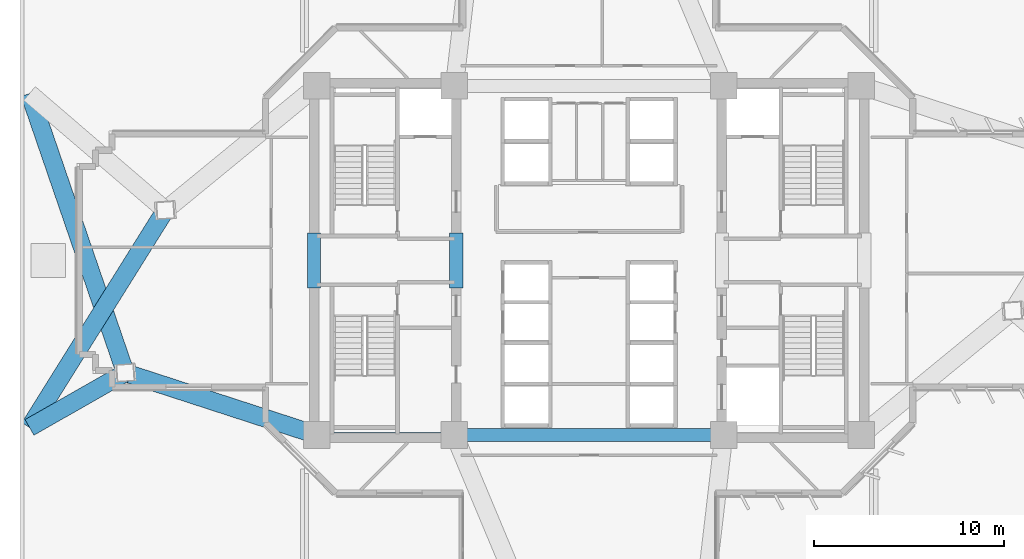
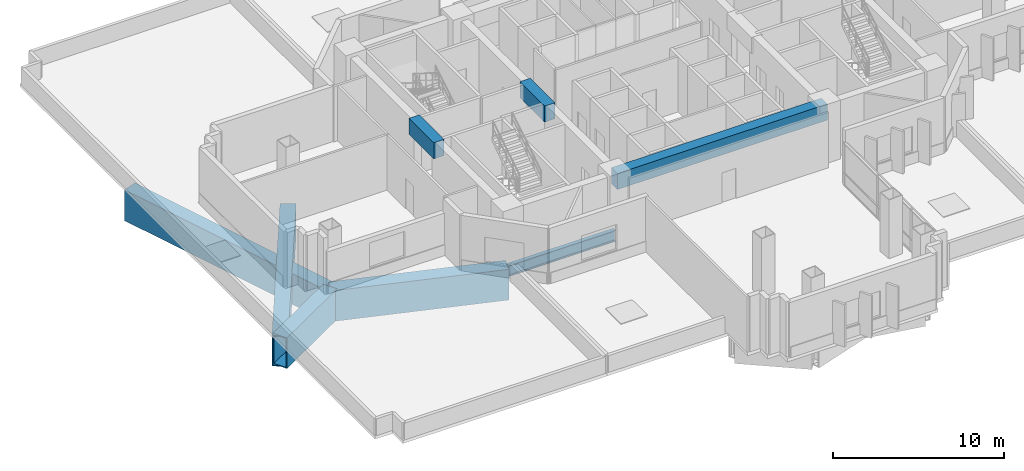
# One storey, part 3 of 15: 8 beams.
"""IFC4 building model written with IfcOpenShell, lengths in metres."""

from ifc_helpers import new_model, si_unit, direction, frame, origin, origin_2d, place, context, subcontext, project, spatial, rectangle, hollow_rectangle, i_section, extrude, source, transform, mapped, material, material_profile, profile_set, type_object, element, save


model = new_model("IFC4")

# Units and contexts
model_context = context("Model", 3, precision=1e-05, world=origin(), true_north=direction((0.0, 1.0)))
body_context = subcontext(model_context, "Body", "Model", "MODEL_VIEW")
ifc_project = project(units=[si_unit("LENGTHUNIT", "METRE"), si_unit("AREAUNIT", "SQUARE_METRE"), si_unit("VOLUMEUNIT", "CUBIC_METRE"), si_unit("PLANEANGLEUNIT", "RADIAN"), si_unit("MASSUNIT", "GRAM", prefix="KILO")], contexts=[model_context])

# Site, building, storey
site_placement = place(None, origin())
site = spatial("IfcSite", under=ifc_project, at=site_placement, CompositionType="ELEMENT")
building_placement = place(site_placement, origin())
building = spatial("IfcBuilding", under=site, at=building_placement, Name="Zahravan Cultural Tower", CompositionType="ELEMENT")
storey_placement = place(building_placement, frame((0.0, 0.0, 29.10009765625)))
storey = spatial("IfcBuildingStorey", under=building, at=storey_placement, Name="L05", CompositionType="ELEMENT", Elevation=29.10009765625)

# Beams
ifc_material_1 = material(Name="Concrete C50/60", Category="concrete")
ifc_material_profile_1 = material_profile(ifc_material_1, rectangle(XDim=0.699951171875, YDim=1.14990234375, at=origin_2d()), Name="RC700X1150")
ifc_profile_set_1 = profile_set([ifc_material_profile_1], Name="Concrete C50/60")
beam_type_1 = type_object("IfcBeamType", Name="BM-LN-RC700X1150", PredefinedType="LINTEL", material=ifc_profile_set_1)
shared_shape_1 = source(origin(), body_context, "Body", "SweptSolid", [
    extrude(rectangle(XDim=0.699951171875, YDim=1.14990234375, at=origin_2d()), origin(), (0.0, 0.0, 1.0), 14.2001953125),
])
beam_1_placement = place(storey_placement, frame((28.89990234375, 17.800048828125, 3.375), z_axis=(1.0, 0.0, 0.0), x_axis=(0.0, 1.0, 0.0)))
element("IfcBeam", 1, at=beam_1_placement, inside=storey, type_object=beam_type_1, Name="L05 Beam LN-L05-S", PredefinedType="LINTEL", context=body_context, shape_type="MappedRepresentation", body=[
    mapped(shared_shape_1, transform((0.0, 0.0, 0.0), x_axis=(1.0, 0.0, 0.0), y_axis=(0.0, 1.0, 0.0), z_axis=(0.0, 0.0, 1.0), scale=1.0)),
])
shared_shape_2 = source(origin(), body_context, "Body", "SweptSolid", [
    extrude(rectangle(XDim=0.699951171875, YDim=1.14990234375, at=origin_2d()), origin(), (0.0, 0.0, 1.0), 2.89990234375),
])
for number, where, z_axis, x_axis, name in (
    (2, (21.5, 25.550048828125, 3.375), (0.0, 1.0, 0.0), (-1.0, 0.0, 0.0), "L05 Beam LN-L05-PWW"),
    (3, (29.0, 25.550048828125, 3.375), (0.0, 1.0, 0.0), (-1.0, 0.0, 0.0), "L05 Beam LN-L05-PWE"),
):
    element("IfcBeam", number, at=place(storey_placement, frame(where, z_axis=z_axis, x_axis=x_axis)), inside=storey, type_object=beam_type_1, Name=name, PredefinedType="LINTEL", context=body_context, shape_type="MappedRepresentation", body=[
        mapped(shared_shape_2, transform((0.0, 0.0, 0.0), x_axis=(1.0, 0.0, 0.0), y_axis=(0.0, 1.0, 0.0), z_axis=(0.0, 0.0, 1.0), scale=1.0)),
    ])
ifc_material_2 = material(Name="Steel ASTM A992 Grade 50", Category="steel")
ifc_material_profile_2 = material_profile(ifc_material_2, i_section(OverallWidth=0.26611328125, OverallDepth=0.780029296875, WebThickness=0.0166015625, FlangeThickness=0.030029296875, FilletRadius=0.01904296875, at=origin_2d()), Name="W30X148")
ifc_profile_set_2 = profile_set([ifc_material_profile_2], Name="Steel ASTM A992 Grade 50")
beam_type_2 = type_object("IfcBeamType", Name="BM-G-W30X148", PredefinedType="BEAM", material=ifc_profile_set_2)
shared_shape_3 = source(origin(), body_context, "Body", "SweptSolid", [
    extrude(i_section(OverallWidth=0.26611328125, OverallDepth=0.780029296875, WebThickness=0.0166015625, FlangeThickness=0.030029296875, FilletRadius=0.01904296875, at=origin_2d()), origin(), (0.0, 0.0, 1.0), 7.25),
])
beam_2_placement = place(storey_placement, frame((21.64990234375, 17.800048828125, -0.64013671875), z_axis=(1.0, 0.0, 0.0), x_axis=(0.0, 1.0, 0.0)))
element("IfcBeam", 4, at=beam_2_placement, inside=storey, type_object=beam_type_2, Name="L05 Beam BG-L05-01", PredefinedType="BEAM", context=body_context, shape_type="MappedRepresentation", body=[
    mapped(shared_shape_3, transform((0.0, 0.0, 0.0), x_axis=(1.0, 0.0, 0.0), y_axis=(0.0, 1.0, 0.0), z_axis=(0.0, 0.0, 1.0), scale=1.0)),
])
ifc_material_3 = material(Name="Steel ASTM A572 Grade 50", Category="steel")
ifc_material_profile_3 = material_profile(ifc_material_3, hollow_rectangle(XDim=0.949951171875, YDim=2.199951171875, WallThickness=0.070068359375, at=origin_2d()), Name="BOX2200X950X70")
ifc_profile_set_3 = profile_set([ifc_material_profile_3], Name="Steel ASTM A572 Grade 50")
beam_type_3 = type_object("IfcBeamType", Name="BM-TR-BOX2200", PredefinedType="BEAM", material=ifc_profile_set_3)
shared_shape_4 = source(origin(), body_context, "Body", "SweptSolid", [
    extrude(hollow_rectangle(XDim=0.949951171875, YDim=2.199951171875, WallThickness=0.070068359375, at=origin_2d()), origin(), (0.0, 0.0, 1.0), 10.615966796875),
])
beam_3_placement = place(storey_placement, frame((21.64990234375, 17.800048828125, -1.35009765625), z_axis=(-0.951063640083, 0.30899506875, 0.0), x_axis=(-0.30899506875, -0.951063640083, 0.0)))
element("IfcBeam", 5, at=beam_3_placement, inside=storey, type_object=beam_type_3, Name="L05 Beam TB-L05-07", PredefinedType="BEAM", context=body_context, shape_type="MappedRepresentation", body=[
    mapped(shared_shape_4, transform((0.0, 0.0, 0.0), x_axis=(1.0, 0.0, 0.0), y_axis=(0.0, 1.0, 0.0), z_axis=(0.0, 0.0, 1.0), scale=1.0)),
])
shared_shape_5 = source(origin(), body_context, "Body", "SweptSolid", [
    extrude(hollow_rectangle(XDim=0.949951171875, YDim=2.199951171875, WallThickness=0.070068359375, at=origin_2d()), origin(), (0.0, 0.0, 1.0), 5.816650390625),
])
beam_4_placement = place(storey_placement, frame((11.553466796875, 21.080322265625, -1.35009765625), z_axis=(-0.868785034759, -0.495189421715, 0.0), x_axis=(0.495189421715, -0.868785034759, 0.0)))
element("IfcBeam", 6, at=beam_4_placement, inside=storey, type_object=beam_type_3, Name="L05 Beam TB-L05-08", PredefinedType="BEAM", context=body_context, shape_type="MappedRepresentation", body=[
    mapped(shared_shape_5, transform((0.0, 0.0, 0.0), x_axis=(1.0, 0.0, 0.0), y_axis=(0.0, 1.0, 0.0), z_axis=(0.0, 0.0, 1.0), scale=1.0)),
])
shared_shape_6 = source(origin(), body_context, "Body", "SweptSolid", [
    extrude(hollow_rectangle(XDim=0.949951171875, YDim=2.199951171875, WallThickness=0.070068359375, at=origin_2d()), origin(), (0.0, 0.0, 1.0), 15.56298828125),
])
beam_5_placement = place(storey_placement, frame((11.553466796875, 21.080322265625, -1.35009765625), z_axis=(-0.3247097171, 0.945813723532, 0.0), x_axis=(-0.945813723532, -0.3247097171, 0.0)))
element("IfcBeam", 7, at=beam_5_placement, inside=storey, type_object=beam_type_3, Name="L05 Beam TB-L05-09", PredefinedType="BEAM", context=body_context, shape_type="MappedRepresentation", body=[
    mapped(shared_shape_6, transform((0.0, 0.0, 0.0), x_axis=(1.0, 0.0, 0.0), y_axis=(0.0, 1.0, 0.0), z_axis=(0.0, 0.0, 1.0), scale=1.0)),
])
shared_shape_7 = source(origin(), body_context, "Body", "SweptSolid", [
    extrude(hollow_rectangle(XDim=0.949951171875, YDim=2.199951171875, WallThickness=0.070068359375, at=origin_2d()), origin(), (0.0, 0.0, 1.0), 13.50341796875),
])
beam_6_placement = place(storey_placement, frame((13.660888671875, 29.648193359375, -1.35009765625), z_axis=(-0.530304437263, -0.847807291676, 0.0), x_axis=(0.847807291676, -0.530304437263, 0.0)))
element("IfcBeam", 8, at=beam_6_placement, inside=storey, type_object=beam_type_3, Name="L05 Beam TB-L05-42", PredefinedType="BEAM", context=body_context, shape_type="MappedRepresentation", body=[
    mapped(shared_shape_7, transform((0.0, 0.0, 0.0), x_axis=(1.0, 0.0, 0.0), y_axis=(0.0, 1.0, 0.0), z_axis=(0.0, 0.0, 1.0), scale=1.0)),
])

save(model, "model.ifc")
